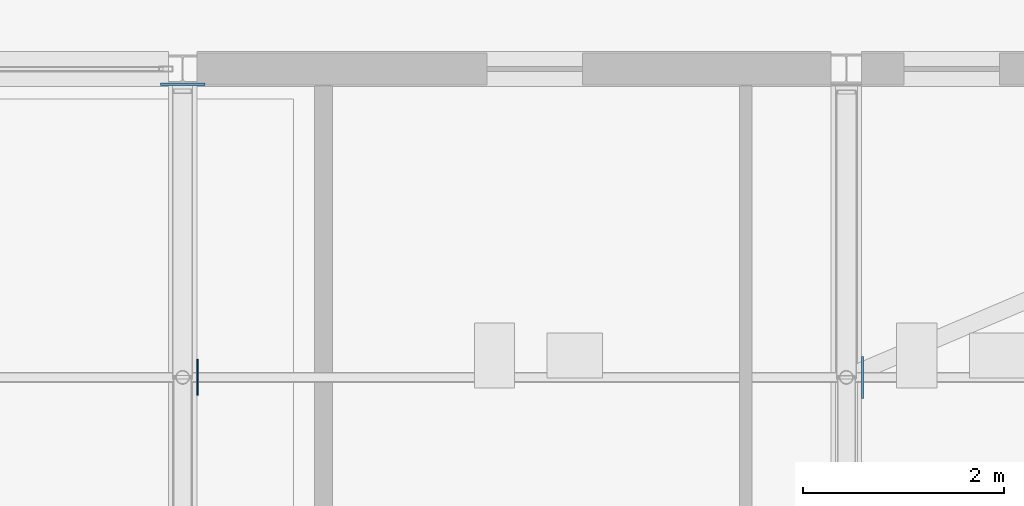
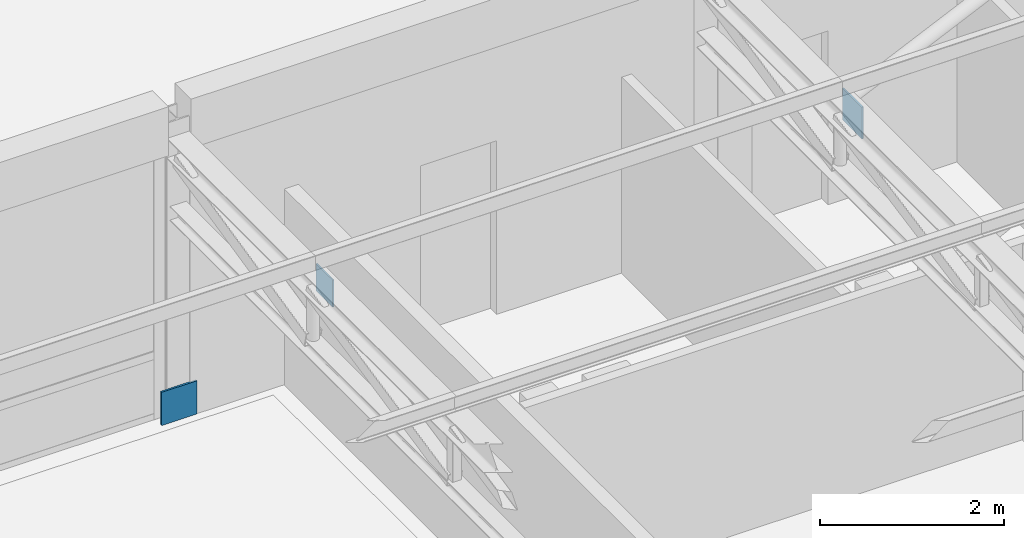
# One storey, part 60 of 92: 3 plates.
"""IFC4 building model written with IfcOpenShell, lengths in metres."""

from ifc_helpers import new_model, si_unit, direction, frame, origin, origin_2d, place, context, subcontext, project, spatial, rectangle, extrude, material, layer, layer_set, type_object, element, save


model = new_model("IFC4")

# Units and contexts
model_context = context("Model", 3, precision=1e-05, world=origin(), true_north=direction((0.0, 1.0)))
body_context = subcontext(model_context, "Body", "Model", "MODEL_VIEW")
ifc_project = project(units=[si_unit("LENGTHUNIT", "METRE"), si_unit("AREAUNIT", "SQUARE_METRE"), si_unit("VOLUMEUNIT", "CUBIC_METRE"), si_unit("PLANEANGLEUNIT", "RADIAN"), si_unit("MASSUNIT", "GRAM", prefix="KILO")], contexts=[model_context])

# Site, building, storey
site_placement = place(None, origin())
site = spatial("IfcSite", under=ifc_project, at=site_placement, CompositionType="ELEMENT")
building_placement = place(site_placement, origin())
building = spatial("IfcBuilding", under=site, at=building_placement, Name="Kernevlak Ridge Housing Community", CompositionType="ELEMENT")
storey_placement = place(building_placement, frame((0.0, 0.0, 4.199951171875)))
storey = spatial("IfcBuildingStorey", under=building, at=storey_placement, Name="L01", CompositionType="ELEMENT", Elevation=4.199951171875)

# Plates
ifc_material = material(Name="Steel S355", Category="steel")
ifc_layer_1 = layer(ifc_material, 0.01611328125, Name="Steel S355")
ifc_layer_set_1 = layer_set([ifc_layer_1], Name="Steel S355")
plate_type_1 = type_object("IfcPlateType", Name="GP-01", PredefinedType="USERDEFINED", material=ifc_layer_set_1)
plate_1_placement = place(storey_placement, frame((90.748046875, 65.13330078125, 3.31005859375), z_axis=(0.0, 0.0, 1.0), x_axis=(1.0, 0.0, 0.0)))
element("IfcPlate", 1, at=plate_1_placement, inside=storey, type_object=plate_type_1, Name="Roof truss 5 node gusset plate 5", ObjectType="GUSSET_PLATE", PredefinedType="USERDEFINED", context=body_context, shape_type="SweptSolid", body=[
    extrude(rectangle(XDim=0.01611328125, YDim=0.360107421875, at=origin_2d()), origin(), (0.0, 0.0, 1.0), 0.360107421875),
])
ifc_layer_2 = layer(ifc_material, 0.02001953125, Name="Steel S355")
ifc_layer_set_2 = layer_set([ifc_layer_2], Name="Steel S355")
plate_type_2 = type_object("IfcPlateType", Name="GP-02", PredefinedType="USERDEFINED", material=ifc_layer_set_2)
plate_2_placement = place(storey_placement, frame((97.360107421875, 65.13330078125, 3.239990234375), z_axis=(0.0, 0.0, 1.0), x_axis=(1.0, 0.0, 0.0)))
element("IfcPlate", 2, at=plate_2_placement, inside=storey, type_object=plate_type_2, Name="Roof truss 6 node gusset plate 5", ObjectType="GUSSET_PLATE", PredefinedType="USERDEFINED", context=body_context, shape_type="SweptSolid", body=[
    extrude(rectangle(XDim=0.02001953125, YDim=0.419921875, at=origin_2d()), origin(), (0.0, 0.0, 1.0), 0.419921875),
])
ifc_layer_3 = layer(ifc_material, 0.02490234375, Name="Steel S355")
ifc_layer_set_3 = layer_set([ifc_layer_3], Name="Steel S355")
plate_type_3 = type_object("IfcPlateType", Name="GP-06", PredefinedType="USERDEFINED", material=ifc_layer_set_3)
plate_3_placement = place(storey_placement, frame((90.60009765625, 68.047607421875, 0.0), z_axis=(0.0, 0.0, 1.0), x_axis=(1.0, 0.0, 0.0)))
element("IfcPlate", 3, at=plate_3_placement, inside=storey, type_object=plate_type_3, Name="Truss column bearing stiffener plate 5.2", ObjectType="STIFFENER_PLATE", PredefinedType="USERDEFINED", context=body_context, shape_type="SweptSolid", body=[
    extrude(rectangle(XDim=0.43994140625, YDim=0.02490234375, at=origin_2d()), origin(), (0.0, 0.0, 1.0), 0.43994140625),
])

save(model, "model.ifc")
